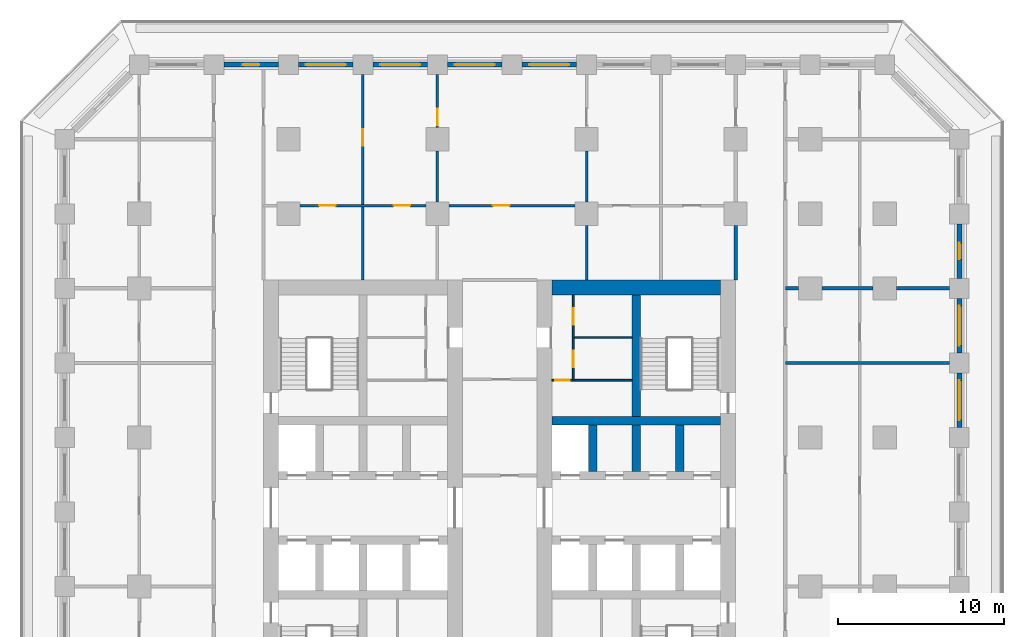
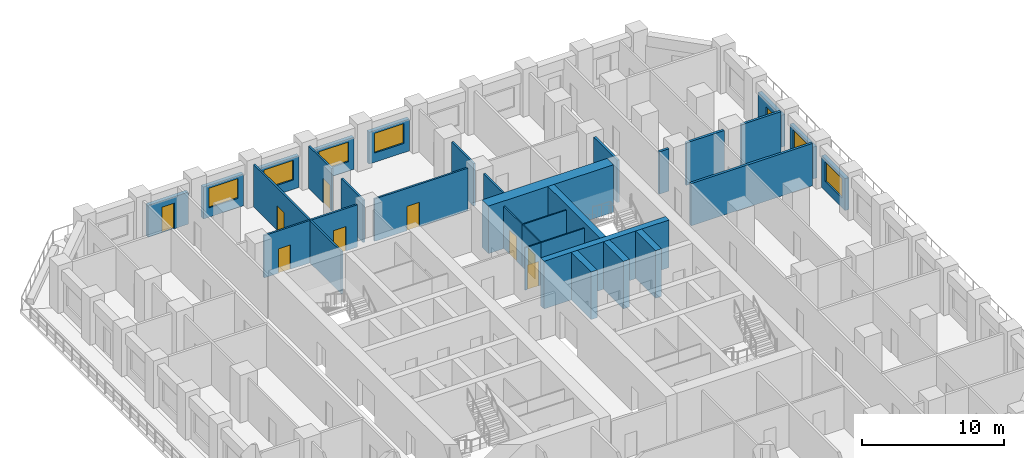
# One storey, part 8 of 18: 31 walls, 10 doors, 6 windows, 16 openings.
"""IFC4 building model written with IfcOpenShell, lengths in metres."""

from ifc_helpers import new_model, si_unit, direction, frame, frame_2d, origin, place, context, subcontext, project, spatial, rectangle, extrude, material, layer, layer_set, type_object, element, fill, save


model = new_model("IFC4")

# Units and contexts
model_context = context("Model", 3, precision=1e-05, world=origin(), true_north=direction((0.0, 1.0)))
body_context = subcontext(model_context, "Body", "Model", "MODEL_VIEW")
ifc_project = project(units=[si_unit("LENGTHUNIT", "METRE"), si_unit("AREAUNIT", "SQUARE_METRE"), si_unit("VOLUMEUNIT", "CUBIC_METRE"), si_unit("PLANEANGLEUNIT", "RADIAN"), si_unit("MASSUNIT", "GRAM", prefix="KILO")], contexts=[model_context])

# Site, building, storey
site_placement = place(None, origin())
site = spatial("IfcSite", under=ifc_project, at=site_placement, CompositionType="ELEMENT")
building_placement = place(site_placement, origin())
building = spatial("IfcBuilding", under=site, at=building_placement, Name="Corbel Stack Research Tower", CompositionType="ELEMENT")
storey_placement = place(building_placement, frame((0.0, 0.0, 102.5)))
storey = spatial("IfcBuildingStorey", under=building, at=storey_placement, Name="L23", CompositionType="ELEMENT", Elevation=102.5)

# Walls
ifc_material_1 = material(Name="Concrete C70/85", Category="concrete")
ifc_layer_1 = layer(ifc_material_1, 0.5)
ifc_layer_set_1 = layer_set([ifc_layer_1], Name="Concrete C70/85")
wall_type_1 = type_object("IfcWallType", Name="CW-500-70", PredefinedType="SHEAR", material=ifc_layer_set_1)
wall_1_placement = place(storey_placement, frame((6.89990234375, 10.0, 0.0), z_axis=(0.0, 0.0, 1.0), x_axis=(1.0, 0.0, 0.0)))
element("IfcWall", 1, at=wall_1_placement, inside=storey, type_object=wall_type_1, Name="East core wall, north row back L23", PredefinedType="SHEAR", context=body_context, shape_type="SweptSolid", body=[
    extrude(rectangle(XDim=10.2001953125, YDim=0.5, at=frame_2d((5.10009765625, 0.0))), origin(), (0.0, 0.0, 1.0), 4.10009765625),
])
for number, where, z_axis, x_axis, name in (
    (2, (9.375, 6.949951171875, 0.0), (0.0, 0.0, 1.0), (0.0, 1.0, 0.0), "East core wall, north shaft 1 L23"),
    (3, (12.0, 6.949951171875, 0.0), (0.0, 0.0, 1.0), (0.0, 1.0, 0.0), "East core wall, north shaft 2 L23"),
    (4, (14.625, 6.949951171875, 0.0), (0.0, 0.0, 1.0), (0.0, 1.0, 0.0), "East core wall, north shaft 3 L23"),
):
    element("IfcWall", number, at=place(storey_placement, frame(where, z_axis=z_axis, x_axis=x_axis)), inside=storey, type_object=wall_type_1, Name=name, PredefinedType="SHEAR", context=body_context, shape_type="SweptSolid", body=[
        extrude(rectangle(XDim=2.800048828125, YDim=0.5, at=frame_2d((1.39990234375, 0.0))), origin(), (0.0, 0.0, 1.0), 4.10009765625),
    ])
wall_2_placement = place(storey_placement, frame((12.0, 10.25, 0.0), z_axis=(0.0, 0.0, 1.0), x_axis=(0.0, 1.0, 0.0)))
element("IfcWall", 5, at=wall_2_placement, inside=storey, type_object=wall_type_1, Name="East core wall, north stair and riser L23", PredefinedType="SHEAR", context=body_context, shape_type="SweptSolid", body=[
    extrude(rectangle(XDim=7.35009765625, YDim=0.5, at=frame_2d((3.675048828125, 0.0))), origin(), (0.0, 0.0, 1.0), 4.10009765625),
])
ifc_material_2 = material(Name="Concrete C70/85", Category="concrete")
ifc_layer_2 = layer(ifc_material_2, 0.89990234375)
ifc_layer_set_2 = layer_set([ifc_layer_2], Name="Concrete C70/85")
wall_type_2 = type_object("IfcWallType", Name="CW-900-70", PredefinedType="SHEAR", material=ifc_layer_set_2)
wall_3_placement = place(storey_placement, frame((6.89990234375, 18.050048828125, 0.0), z_axis=(0.0, 0.0, 1.0), x_axis=(1.0, 0.0, 0.0)))
element("IfcWall", 6, at=wall_3_placement, inside=storey, type_object=wall_type_2, Name="East core wall, north end L23", PredefinedType="SHEAR", context=body_context, shape_type="SweptSolid", body=[
    extrude(rectangle(XDim=10.2001953125, YDim=0.89990234375, at=frame_2d((5.10009765625, 0.0))), origin(), (0.0, 0.0, 1.0), 4.10009765625),
])

# Wall, opening, door
ifc_material_3 = material(Name="Gypsum board")
ifc_layer_3 = layer(ifc_material_3, 0.10009765625)
ifc_layer_set_3 = layer_set([ifc_layer_3], Name="Gypsum board")
wall_type_3 = type_object("IfcWallType", Name="Core partition 100", PredefinedType="PARTITIONING", material=ifc_layer_set_3)
wall_4_placement = place(storey_placement, frame((6.89990234375, 12.455078125, 0.0), z_axis=(0.0, 0.0, 1.0), x_axis=(1.0, 0.0, 0.0)))
wall_4 = element("IfcWall", 7, at=wall_4_placement, inside=storey, type_object=wall_type_3, Name="Core partition E", PredefinedType="PARTITIONING", context=body_context, shape_type="SweptSolid", body=[
    extrude(rectangle(XDim=1.300048828125, YDim=0.10009765625, at=frame_2d((0.64990234375, 0.0))), origin(), (0.0, 0.0, 1.0), 3.64990234375),
])
opening_1_placement = place(wall_4_placement, frame((0.199951171875, 0.0, 0.0)))
opening_1 = element("IfcOpeningElement", 8, at=opening_1_placement, cuts=wall_4, Name="Opening CR-E24-R1-900", PredefinedType="OPENING", context=body_context, shape_type="SweptSolid", body=[
    extrude(rectangle(XDim=0.89990234375, YDim=2.10009765625, at=frame_2d((0.449951171875, 1.050048828125))), frame((0.0, 0.06005859375, 0.0), z_axis=(0.0, -1.0, 0.0), x_axis=(1.0, 0.0, 0.0)), (0.0, 0.0, 1.0), 0.1201171875),
])
ifc_material_4 = material(Name="Painted steel door", Category="steel")
door_type_1 = type_object("IfcDoorType", Name="Riser door 900 x 2100 FD60 right hand", OperationType="SINGLE_SWING_RIGHT", PredefinedType="DOOR", material=ifc_material_4)
door_1_placement = place(opening_1_placement, origin())
door_1 = element("IfcDoor", 9, at=door_1_placement, inside=storey, type_object=door_type_1, Name="Electrical riser door E core", OperationType="SINGLE_SWING_RIGHT", OverallHeight=2.10009765625, OverallWidth=0.89990234375, PredefinedType="DOOR", context=body_context, shape_type="SweptSolid", body=[
    extrude(rectangle(XDim=0.89990234375, YDim=2.10009765625, at=frame_2d((0.449951171875, 1.050048828125))), frame((0.0, 0.02490234375, 0.0), z_axis=(0.0, -1.0, 0.0), x_axis=(1.0, 0.0, 0.0)), (0.0, 0.0, 1.0), 0.050048828125),
])
fill(opening_1, door_1)

# Wall
wall_5_placement = place(storey_placement, frame((8.199951171875, 12.455078125, 0.0), z_axis=(0.0, 0.0, 1.0), x_axis=(1.0, 0.0, 0.0)))
element("IfcWall", 10, at=wall_5_placement, inside=storey, type_object=wall_type_3, Name="Core partition E", PredefinedType="PARTITIONING", context=body_context, shape_type="SweptSolid", body=[
    extrude(rectangle(XDim=3.550048828125, YDim=0.10009765625, at=frame_2d((1.77490234375, 0.0))), origin(), (0.0, 0.0, 1.0), 3.64990234375),
])

# Wall, opening, door
wall_6_placement = place(storey_placement, frame((8.199951171875, 12.455078125, 0.0), z_axis=(0.0, 0.0, 1.0), x_axis=(0.0, 1.0, 0.0)))
wall_6 = element("IfcWall", 11, at=wall_6_placement, inside=storey, type_object=wall_type_3, Name="Core partition E", PredefinedType="PARTITIONING", context=body_context, shape_type="SweptSolid", body=[
    extrude(rectangle(XDim=2.572509765625, YDim=0.10009765625, at=frame_2d((1.2861328125, 0.0))), origin(), (0.0, 0.0, 1.0), 3.64990234375),
])
opening_2_placement = place(wall_6_placement, frame((0.786376953125, 0.0, 0.0)))
opening_2 = element("IfcOpeningElement", 12, at=opening_2_placement, cuts=wall_6, Name="Opening CR-E24-R3-1000", PredefinedType="OPENING", context=body_context, shape_type="SweptSolid", body=[
    extrude(rectangle(XDim=1.0, YDim=2.10009765625, at=frame_2d((0.5, 1.050048828125))), frame((0.0, 0.06005859375, 0.0), z_axis=(0.0, -1.0, 0.0), x_axis=(1.0, 0.0, 0.0)), (0.0, 0.0, 1.0), 0.1201171875),
])
ifc_material_5 = material(Name="Painted steel door", Category="steel")
door_type_2 = type_object("IfcDoorType", Name="Service door 1000 x 2100 FD30 right hand", OperationType="SINGLE_SWING_RIGHT", PredefinedType="DOOR", material=ifc_material_5)
door_2_placement = place(opening_2_placement, origin())
door_2 = element("IfcDoor", 13, at=door_2_placement, inside=storey, type_object=door_type_2, Name="Pantry door E core", OperationType="SINGLE_SWING_RIGHT", OverallHeight=2.10009765625, OverallWidth=1.0, PredefinedType="DOOR", context=body_context, shape_type="SweptSolid", body=[
    extrude(rectangle(XDim=1.0, YDim=2.10009765625, at=frame_2d((0.5, 1.050048828125))), frame((0.0, 0.02490234375, 0.0), z_axis=(0.0, -1.0, 0.0), x_axis=(1.0, 0.0, 0.0)), (0.0, 0.0, 1.0), 0.050048828125),
])
fill(opening_2, door_2)

wall_7_placement = place(storey_placement, frame((8.199951171875, 15.027587890625, 0.0), z_axis=(0.0, 0.0, 1.0), x_axis=(0.0, 1.0, 0.0)))
wall_7 = element("IfcWall", 14, at=wall_7_placement, inside=storey, type_object=wall_type_3, Name="Core partition E", PredefinedType="PARTITIONING", context=body_context, shape_type="SweptSolid", body=[
    extrude(rectangle(XDim=2.572509765625, YDim=0.10009765625, at=frame_2d((1.2861328125, 0.0))), origin(), (0.0, 0.0, 1.0), 3.64990234375),
])
opening_3_placement = place(wall_7_placement, frame((0.7861328125, 0.0, 0.0)))
opening_3 = element("IfcOpeningElement", 15, at=opening_3_placement, cuts=wall_7, Name="Opening CR-E24-R4-1000", PredefinedType="OPENING", context=body_context, shape_type="SweptSolid", body=[
    extrude(rectangle(XDim=1.0, YDim=2.10009765625, at=frame_2d((0.5, 1.050048828125))), frame((0.0, 0.06005859375, 0.0), z_axis=(0.0, -1.0, 0.0), x_axis=(1.0, 0.0, 0.0)), (0.0, 0.0, 1.0), 0.1201171875),
])
ifc_material_6 = material(Name="Painted steel door", Category="steel")
door_type_3 = type_object("IfcDoorType", Name="Service door 1000 x 2100 FD30 left hand", OperationType="SINGLE_SWING_LEFT", PredefinedType="DOOR", material=ifc_material_6)
door_3_placement = place(opening_3_placement, origin())
door_3 = element("IfcDoor", 16, at=door_3_placement, inside=storey, type_object=door_type_3, Name="Copy and supply store door E core", OperationType="SINGLE_SWING_LEFT", OverallHeight=2.10009765625, OverallWidth=1.0, PredefinedType="DOOR", context=body_context, shape_type="SweptSolid", body=[
    extrude(rectangle(XDim=1.0, YDim=2.10009765625, at=frame_2d((0.5, 1.050048828125))), frame((0.0, 0.02490234375, 0.0), z_axis=(0.0, -1.0, 0.0), x_axis=(1.0, 0.0, 0.0)), (0.0, 0.0, 1.0), 0.050048828125),
])
fill(opening_3, door_3)

# Wall
wall_8_placement = place(storey_placement, frame((8.199951171875, 15.027587890625, 0.0), z_axis=(0.0, 0.0, 1.0), x_axis=(1.0, 0.0, 0.0)))
element("IfcWall", 17, at=wall_8_placement, inside=storey, type_object=wall_type_3, Name="Core partition E", PredefinedType="PARTITIONING", context=body_context, shape_type="SweptSolid", body=[
    extrude(rectangle(XDim=3.550048828125, YDim=0.10009765625, at=frame_2d((1.77490234375, 0.0))), origin(), (0.0, 0.0, 1.0), 3.64990234375),
])

# Wall, opening, door
ifc_material_7 = material(Name="Fire-rated gypsum board partition on steel studs", Category="steel")
ifc_layer_4 = layer(ifc_material_7, 0.14990234375)
ifc_layer_set_4 = layer_set([ifc_layer_4], Name="Fire-rated gypsum board partition on steel studs")
wall_type_4 = type_object("IfcWallType", Name="Fire-rated partition 150 EI 60", PredefinedType="PARTITIONING", material=ifc_layer_set_4)
wall_9_placement = place(storey_placement, frame((-4.5, 30.89990234375, 0.0), z_axis=(0.0, 0.0, 1.0), x_axis=(0.0, -1.0, 0.0)))
wall_9 = element("IfcWall", 18, at=wall_9_placement, inside=storey, type_object=wall_type_4, Name="Partition L23-011", PredefinedType="PARTITIONING", context=body_context, shape_type="SweptSolid", body=[
    extrude(rectangle(XDim=12.39990234375, YDim=0.14990234375, at=frame_2d((6.199951171875, 0.0))), origin(), (0.0, 0.0, 1.0), 3.64990234375),
])
opening_4_placement = place(wall_9_placement, frame((3.300048828125, 0.0, 0.0)))
opening_4 = element("IfcOpeningElement", 19, at=opening_4_placement, cuts=wall_9, Name="Opening B3V2-026", PredefinedType="OPENING", context=body_context, shape_type="SweptSolid", body=[
    extrude(rectangle(XDim=1.0, YDim=2.10009765625, at=frame_2d((0.5, 1.050048828125))), frame((0.0, 0.0849609375, 0.0), z_axis=(0.0, -1.0, 0.0), x_axis=(1.0, 0.0, 0.0)), (0.0, 0.0, 1.0), 0.169921875),
])
ifc_material_8 = material(Name="Painted steel fire door", Category="steel")
door_type_4 = type_object("IfcDoorType", Name="Fire door FD30S 1000 x 2100", OperationType="NOTDEFINED", PredefinedType="DOOR", material=ifc_material_8)
door_4_placement = place(opening_4_placement, origin())
door_4 = element("IfcDoor", 20, at=door_4_placement, inside=storey, type_object=door_type_4, Name="Door B3V2-026", OperationType="SINGLE_SWING_LEFT", OverallHeight=2.10009765625, OverallWidth=1.0, PredefinedType="DOOR", context=body_context, shape_type="SweptSolid", body=[
    extrude(rectangle(XDim=1.0, YDim=2.10009765625, at=frame_2d((0.5, 1.050048828125))), frame((0.0, 0.02490234375, 0.0), z_axis=(0.0, -1.0, 0.0), x_axis=(1.0, 0.0, 0.0)), (0.0, 0.0, 1.0), 0.050048828125),
])
fill(opening_4, door_4)

wall_10_placement = place(storey_placement, frame((0.0, 30.89990234375, 0.0), z_axis=(0.0, 0.0, 1.0), x_axis=(0.0, -1.0, 0.0)))
wall_10 = element("IfcWall", 21, at=wall_10_placement, inside=storey, type_object=wall_type_4, Name="Partition L23-014", PredefinedType="PARTITIONING", context=body_context, shape_type="SweptSolid", body=[
    extrude(rectangle(XDim=3.199951171875, YDim=0.14990234375, at=frame_2d((1.60009765625, 0.0))), origin(), (0.0, 0.0, 1.0), 3.64990234375),
])
opening_5_placement = place(wall_10_placement, frame((2.050048828125, 0.0, 0.0)))
opening_5 = element("IfcOpeningElement", 22, at=opening_5_placement, cuts=wall_10, Name="Opening B3V2-027", PredefinedType="OPENING", context=body_context, shape_type="SweptSolid", body=[
    extrude(rectangle(XDim=1.0, YDim=2.10009765625, at=frame_2d((0.5, 1.050048828125))), frame((0.0, 0.0849609375, 0.0), z_axis=(0.0, -1.0, 0.0), x_axis=(1.0, 0.0, 0.0)), (0.0, 0.0, 1.0), 0.169921875),
])
door_5_placement = place(opening_5_placement, origin())
door_5 = element("IfcDoor", 23, at=door_5_placement, inside=storey, type_object=door_type_4, Name="Door B3V2-027", OperationType="SINGLE_SWING_RIGHT", OverallHeight=2.10009765625, OverallWidth=1.0, PredefinedType="DOOR", context=body_context, shape_type="SweptSolid", body=[
    extrude(rectangle(XDim=1.0, YDim=2.10009765625, at=frame_2d((0.5, 1.050048828125))), frame((0.0, 0.02490234375, 0.0), z_axis=(0.0, -1.0, 0.0), x_axis=(1.0, 0.0, 0.0)), (0.0, 0.0, 1.0), 0.050048828125),
])
fill(opening_5, door_5)

# Walls
ifc_material_9 = material(Name="Fire-rated gypsum board partition on steel studs", Category="steel")
ifc_layer_5 = layer(ifc_material_9, 0.199951171875)
ifc_layer_set_5 = layer_set([ifc_layer_5], Name="Fire-rated gypsum board partition on steel studs")
wall_type_5 = type_object("IfcWallType", Name="Fire-rated partition 200 EI 60", PredefinedType="PARTITIONING", material=ifc_layer_set_5)
wall_11_placement = place(storey_placement, frame((18.0, 18.5, 0.0), z_axis=(0.0, 0.0, 1.0), x_axis=(0.0, 1.0, 0.0)))
element("IfcWall", 24, at=wall_11_placement, inside=storey, type_object=wall_type_5, Name="Partition L23-026", PredefinedType="PARTITIONING", context=body_context, shape_type="SweptSolid", body=[
    extrude(rectangle(XDim=3.300048828125, YDim=0.199951171875, at=frame_2d((1.64990234375, 0.0))), origin(), (0.0, 0.0, 1.0), 3.64990234375),
])
wall_12_placement = place(storey_placement, frame((21.0, 13.5, 0.0), z_axis=(0.0, 0.0, 1.0), x_axis=(1.0, 0.0, 0.0)))
element("IfcWall", 25, at=wall_12_placement, inside=storey, type_object=wall_type_5, Name="Partition L23-048", PredefinedType="PARTITIONING", context=body_context, shape_type="SweptSolid", body=[
    extrude(rectangle(XDim=9.89990234375, YDim=0.199951171875, at=frame_2d((4.949951171875, 0.0))), origin(), (0.0, 0.0, 1.0), 3.64990234375),
])
wall_13_placement = place(storey_placement, frame((21.0, 18.0, 0.0), z_axis=(0.0, 0.0, 1.0), x_axis=(1.0, 0.0, 0.0)))
element("IfcWall", 26, at=wall_13_placement, inside=storey, type_object=wall_type_5, Name="Partition L23-051", PredefinedType="PARTITIONING", context=body_context, shape_type="SweptSolid", body=[
    extrude(rectangle(XDim=0.800048828125, YDim=0.199951171875, at=frame_2d((0.39990234375, 0.0))), origin(), (0.0, 0.0, 1.0), 3.64990234375),
])
wall_14_placement = place(storey_placement, frame((23.199951171875, 18.0, 0.0), z_axis=(0.0, 0.0, 1.0), x_axis=(1.0, 0.0, 0.0)))
element("IfcWall", 27, at=wall_14_placement, inside=storey, type_object=wall_type_5, Name="Partition L23-052", PredefinedType="PARTITIONING", context=body_context, shape_type="SweptSolid", body=[
    extrude(rectangle(XDim=3.10009765625, YDim=0.199951171875, at=frame_2d((1.550048828125, 0.0))), origin(), (0.0, 0.0, 1.0), 3.64990234375),
])
wall_15_placement = place(storey_placement, frame((27.699951171875, 18.0, 0.0), z_axis=(0.0, 0.0, 1.0), x_axis=(1.0, 0.0, 0.0)))
element("IfcWall", 28, at=wall_15_placement, inside=storey, type_object=wall_type_5, Name="Partition L23-053", PredefinedType="PARTITIONING", context=body_context, shape_type="SweptSolid", body=[
    extrude(rectangle(XDim=3.199951171875, YDim=0.199951171875, at=frame_2d((1.60009765625, 0.0))), origin(), (0.0, 0.0, 1.0), 3.64990234375),
])
ifc_material_10 = material(Name="Gypsum board partition on steel studs", Category="steel")
ifc_layer_6 = layer(ifc_material_10, 0.14990234375)
ifc_layer_set_6 = layer_set([ifc_layer_6], Name="Gypsum board partition on steel studs")
wall_type_6 = type_object("IfcWallType", Name="Partition 150", PredefinedType="PARTITIONING", material=ifc_layer_set_6)
wall_16_placement = place(storey_placement, frame((0.0, 23.199951171875, 0.0), z_axis=(0.0, 0.0, 1.0), x_axis=(0.0, 1.0, 0.0)))
element("IfcWall", 29, at=wall_16_placement, inside=storey, type_object=wall_type_6, Name="Partition L23-013", PredefinedType="PARTITIONING", context=body_context, shape_type="SweptSolid", body=[
    extrude(rectangle(XDim=3.10009765625, YDim=0.14990234375, at=frame_2d((1.550048828125, 0.0))), origin(), (0.0, 0.0, 1.0), 3.64990234375),
])
wall_17_placement = place(storey_placement, frame((9.0, 18.5, 0.0), z_axis=(0.0, 0.0, 1.0), x_axis=(0.0, 1.0, 0.0)))
element("IfcWall", 30, at=wall_17_placement, inside=storey, type_object=wall_type_6, Name="Partition L23-019", PredefinedType="PARTITIONING", context=body_context, shape_type="SweptSolid", body=[
    extrude(rectangle(XDim=3.300048828125, YDim=0.14990234375, at=frame_2d((1.64990234375, 0.0))), origin(), (0.0, 0.0, 1.0), 3.64990234375),
])
wall_18_placement = place(storey_placement, frame((9.0, 23.199951171875, 0.0), z_axis=(0.0, 0.0, 1.0), x_axis=(0.0, 1.0, 0.0)))
element("IfcWall", 31, at=wall_18_placement, inside=storey, type_object=wall_type_6, Name="Partition L23-020", PredefinedType="PARTITIONING", context=body_context, shape_type="SweptSolid", body=[
    extrude(rectangle(XDim=3.10009765625, YDim=0.14990234375, at=frame_2d((1.550048828125, 0.0))), origin(), (0.0, 0.0, 1.0), 3.64990234375),
])

# Wall, openings, doors
wall_19_placement = place(storey_placement, frame((-0.699951171875, 23.0, 0.0), z_axis=(0.0, 0.0, 1.0), x_axis=(-1.0, 0.0, 0.0)))
wall_19 = element("IfcWall", 32, at=wall_19_placement, inside=storey, type_object=wall_type_6, Name="Partition L23-056", PredefinedType="PARTITIONING", context=body_context, shape_type="SweptSolid", body=[
    extrude(rectangle(XDim=7.60009765625, YDim=0.14990234375, at=frame_2d((3.800048828125, 0.0))), origin(), (0.0, 0.0, 1.0), 3.64990234375),
])
opening_6_placement = place(wall_19_placement, frame((5.449951171875, 0.0, 0.0)))
opening_6 = element("IfcOpeningElement", 33, at=opening_6_placement, cuts=wall_19, Name="Opening B3V2-042", PredefinedType="OPENING", context=body_context, shape_type="SweptSolid", body=[
    extrude(rectangle(XDim=1.0, YDim=2.10009765625, at=frame_2d((0.5, 1.050048828125))), frame((0.0, 0.0849609375, 0.0), z_axis=(0.0, -1.0, 0.0), x_axis=(1.0, 0.0, 0.0)), (0.0, 0.0, 1.0), 0.169921875),
])
opening_7_placement = place(wall_19_placement, frame((0.949951171875, 0.0, 0.0)))
opening_7 = element("IfcOpeningElement", 34, at=opening_7_placement, cuts=wall_19, Name="Opening B3V2-043", PredefinedType="OPENING", context=body_context, shape_type="SweptSolid", body=[
    extrude(rectangle(XDim=1.0, YDim=2.10009765625, at=frame_2d((0.5, 1.050048828125))), frame((0.0, 0.0849609375, 0.0), z_axis=(0.0, -1.0, 0.0), x_axis=(1.0, 0.0, 0.0)), (0.0, 0.0, 1.0), 0.169921875),
])
ifc_material_11 = material(Name="Painted timber door", Category="wood")
door_type_5 = type_object("IfcDoorType", Name="Single door 1000 x 2100", OperationType="NOTDEFINED", PredefinedType="DOOR", material=ifc_material_11)
door_6_placement = place(opening_6_placement, origin())
door_6 = element("IfcDoor", 35, at=door_6_placement, inside=storey, type_object=door_type_5, Name="Door B3V2-042", OperationType="SINGLE_SWING_RIGHT", OverallHeight=2.10009765625, OverallWidth=1.0, PredefinedType="DOOR", context=body_context, shape_type="SweptSolid", body=[
    extrude(rectangle(XDim=1.0, YDim=2.10009765625, at=frame_2d((0.5, 1.050048828125))), frame((0.0, 0.02490234375, 0.0), z_axis=(0.0, -1.0, 0.0), x_axis=(1.0, 0.0, 0.0)), (0.0, 0.0, 1.0), 0.050048828125),
])
fill(opening_6, door_6)
door_7_placement = place(opening_7_placement, origin())
door_7 = element("IfcDoor", 36, at=door_7_placement, inside=storey, type_object=door_type_5, Name="Door B3V2-043", OperationType="SINGLE_SWING_LEFT", OverallHeight=2.10009765625, OverallWidth=1.0, PredefinedType="DOOR", context=body_context, shape_type="SweptSolid", body=[
    extrude(rectangle(XDim=1.0, YDim=2.10009765625, at=frame_2d((0.5, 1.050048828125))), frame((0.0, 0.02490234375, 0.0), z_axis=(0.0, -1.0, 0.0), x_axis=(1.0, 0.0, 0.0)), (0.0, 0.0, 1.0), 0.050048828125),
])
fill(opening_7, door_7)

# Wall, opening, door
wall_20_placement = place(storey_placement, frame((8.300048828125, 23.0, 0.0), z_axis=(0.0, 0.0, 1.0), x_axis=(-1.0, 0.0, 0.0)))
wall_20 = element("IfcWall", 37, at=wall_20_placement, inside=storey, type_object=wall_type_6, Name="Partition L23-057", PredefinedType="PARTITIONING", context=body_context, shape_type="SweptSolid", body=[
    extrude(rectangle(XDim=7.60009765625, YDim=0.14990234375, at=frame_2d((3.800048828125, 0.0))), origin(), (0.0, 0.0, 1.0), 3.64990234375),
])
opening_8_placement = place(wall_20_placement, frame((3.949951171875, 0.0, 0.0)))
opening_8 = element("IfcOpeningElement", 38, at=opening_8_placement, cuts=wall_20, Name="Opening B3V2-044", PredefinedType="OPENING", context=body_context, shape_type="SweptSolid", body=[
    extrude(rectangle(XDim=1.0, YDim=2.10009765625, at=frame_2d((0.5, 1.050048828125))), frame((0.0, 0.0849609375, 0.0), z_axis=(0.0, -1.0, 0.0), x_axis=(1.0, 0.0, 0.0)), (0.0, 0.0, 1.0), 0.169921875),
])
door_8_placement = place(opening_8_placement, origin())
door_8 = element("IfcDoor", 39, at=door_8_placement, inside=storey, type_object=door_type_5, Name="Door B3V2-044", OperationType="SINGLE_SWING_RIGHT", OverallHeight=2.10009765625, OverallWidth=1.0, PredefinedType="DOOR", context=body_context, shape_type="SweptSolid", body=[
    extrude(rectangle(XDim=1.0, YDim=2.10009765625, at=frame_2d((0.5, 1.050048828125))), frame((0.0, 0.02490234375, 0.0), z_axis=(0.0, -1.0, 0.0), x_axis=(1.0, 0.0, 0.0)), (0.0, 0.0, 1.0), 0.050048828125),
])
fill(opening_8, door_8)

# Wall, opening, window
ifc_material_12 = material(Name="Concrete C45/55", Category="concrete")
ifc_layer_7 = layer(ifc_material_12, 0.300048828125)
ifc_layer_set_7 = layer_set([ifc_layer_7], Name="Concrete C45/55")
wall_type_7 = type_object("IfcWallType", Name="Terracotta-faced concrete wall 300", PredefinedType="SOLIDWALL", material=ifc_layer_set_7)
wall_21_placement = place(storey_placement, frame((31.5, 12.89990234375, 0.0), z_axis=(0.0, 0.0, 1.0), x_axis=(0.0, -1.0, 0.0)))
wall_21 = element("IfcWall", 40, at=wall_21_placement, inside=storey, type_object=wall_type_7, Name="Facade wall L23 E07", PredefinedType="SOLIDWALL", context=body_context, shape_type="SweptSolid", body=[
    extrude(rectangle(XDim=3.2998046875, YDim=0.300048828125, at=frame_2d((1.64990234375, 0.0))), origin(), (0.0, 0.0, 1.0), 2.75),
])
opening_9_placement = place(wall_21_placement, frame((0.449951171875, 0.0, 0.800048828125)))
opening_9 = element("IfcOpeningElement", 41, at=opening_9_placement, cuts=wall_21, Name="Opening W1", PredefinedType="OPENING", context=body_context, shape_type="SweptSolid", body=[
    extrude(rectangle(XDim=2.39990234375, YDim=1.699951171875, at=frame_2d((1.199951171875, 0.85009765625))), frame((0.0, 0.159912109375, 0.0), z_axis=(0.0, -1.0, 0.0), x_axis=(1.0, 0.0, 0.0)), (0.0, 0.0, 1.0), 0.320068359375),
])
ifc_material_13 = material(Name="Aluminium frame, clear double glazing", Category="aluminium")
window_type = type_object("IfcWindowType", Name="Window W1 2400 x 1700", PartitioningType="SINGLE_PANEL", PredefinedType="WINDOW", material=ifc_material_13)
window_1_placement = place(opening_9_placement, origin())
window_1 = element("IfcWindow", 42, at=window_1_placement, inside=storey, type_object=window_type, Name="Window W1 L23 E07", OverallHeight=1.699951171875, OverallWidth=2.39990234375, PartitioningType="SINGLE_PANEL", PredefinedType="WINDOW", context=body_context, shape_type="SweptSolid", body=[
    extrude(rectangle(XDim=2.39990234375, YDim=1.699951171875, at=frame_2d((1.199951171875, 0.85009765625))), frame((0.0, 0.030029296875, 0.0), z_axis=(0.0, -1.0, 0.0), x_axis=(1.0, 0.0, 0.0)), (0.0, 0.0, 1.0), 0.06005859375),
])
fill(opening_9, window_1)

wall_22_placement = place(storey_placement, frame((31.5, 17.39990234375, 0.0), z_axis=(0.0, 0.0, 1.0), x_axis=(0.0, -1.0, 0.0)))
wall_22 = element("IfcWall", 43, at=wall_22_placement, inside=storey, type_object=wall_type_7, Name="Facade wall L23 E08", PredefinedType="SOLIDWALL", context=body_context, shape_type="SweptSolid", body=[
    extrude(rectangle(XDim=3.2998046875, YDim=0.300048828125, at=frame_2d((1.64990234375, 0.0))), origin(), (0.0, 0.0, 1.0), 2.75),
])
opening_10_placement = place(wall_22_placement, frame((0.449951171875, 0.0, 0.800048828125)))
opening_10 = element("IfcOpeningElement", 44, at=opening_10_placement, cuts=wall_22, Name="Opening W1", PredefinedType="OPENING", context=body_context, shape_type="SweptSolid", body=[
    extrude(rectangle(XDim=2.39990234375, YDim=1.699951171875, at=frame_2d((1.199951171875, 0.85009765625))), frame((0.0, 0.159912109375, 0.0), z_axis=(0.0, -1.0, 0.0), x_axis=(1.0, 0.0, 0.0)), (0.0, 0.0, 1.0), 0.320068359375),
])
window_2_placement = place(opening_10_placement, origin())
window_2 = element("IfcWindow", 45, at=window_2_placement, inside=storey, type_object=window_type, Name="Window W1 L23 E08", OverallHeight=1.699951171875, OverallWidth=2.39990234375, PartitioningType="SINGLE_PANEL", PredefinedType="WINDOW", context=body_context, shape_type="SweptSolid", body=[
    extrude(rectangle(XDim=2.39990234375, YDim=1.699951171875, at=frame_2d((1.199951171875, 0.85009765625))), frame((0.0, 0.030029296875, 0.0), z_axis=(0.0, -1.0, 0.0), x_axis=(1.0, 0.0, 0.0)), (0.0, 0.0, 1.0), 0.06005859375),
])
fill(opening_10, window_2)

# Wall, opening, door
wall_23_placement = place(storey_placement, frame((31.5, 21.89990234375, 0.0), z_axis=(0.0, 0.0, 1.0), x_axis=(0.0, -1.0, 0.0)))
wall_23 = element("IfcWall", 46, at=wall_23_placement, inside=storey, type_object=wall_type_7, Name="Facade wall L23 E09", PredefinedType="SOLIDWALL", context=body_context, shape_type="SweptSolid", body=[
    extrude(rectangle(XDim=3.2998046875, YDim=0.300048828125, at=frame_2d((1.64990234375, 0.0))), origin(), (0.0, 0.0, 1.0), 2.75),
])
opening_11_placement = place(wall_23_placement, frame((1.14990234375, 0.0, 0.0)))
opening_11 = element("IfcOpeningElement", 47, at=opening_11_placement, cuts=wall_23, Name="Opening L23-B05", PredefinedType="OPENING", context=body_context, shape_type="SweptSolid", body=[
    extrude(rectangle(XDim=1.0, YDim=2.199951171875, at=frame_2d((0.5, 1.10009765625))), frame((0.0, 0.159912109375, 0.0), z_axis=(0.0, -1.0, 0.0), x_axis=(1.0, 0.0, 0.0)), (0.0, 0.0, 1.0), 0.320068359375),
])
ifc_material_14 = material(Name="Aluminium frame, clear double glazing", Category="aluminium")
door_type_6 = type_object("IfcDoorType", Name="Balcony door BD1 1000 x 2200", OperationType="NOTDEFINED", PredefinedType="DOOR", material=ifc_material_14)
door_9_placement = place(opening_11_placement, origin())
door_9 = element("IfcDoor", 48, at=door_9_placement, inside=storey, type_object=door_type_6, Name="Balcony door L23-B05", OperationType="SINGLE_SWING_RIGHT", OverallHeight=2.199951171875, OverallWidth=1.0, PredefinedType="DOOR", context=body_context, shape_type="SweptSolid", body=[
    extrude(rectangle(XDim=1.0, YDim=2.199951171875, at=frame_2d((0.5, 1.10009765625))), frame((0.0, 0.02490234375, 0.0), z_axis=(0.0, -1.0, 0.0), x_axis=(1.0, 0.0, 0.0)), (0.0, 0.0, 1.0), 0.050048828125),
])
fill(opening_11, door_9)

# Wall, opening, window
wall_24_placement = place(storey_placement, frame((5.10009765625, 31.5, 0.0), z_axis=(0.0, 0.0, 1.0), x_axis=(1.0, 0.0, 0.0)))
wall_24 = element("IfcWall", 49, at=wall_24_placement, inside=storey, type_object=wall_type_7, Name="Facade wall L23 N05", PredefinedType="SOLIDWALL", context=body_context, shape_type="SweptSolid", body=[
    extrude(rectangle(XDim=3.2998046875, YDim=0.300048828125, at=frame_2d((1.64990234375, 0.0))), origin(), (0.0, 0.0, 1.0), 2.75),
])
opening_12_placement = place(wall_24_placement, frame((0.449951171875, 0.0, 0.800048828125)))
opening_12 = element("IfcOpeningElement", 50, at=opening_12_placement, cuts=wall_24, Name="Opening W1", PredefinedType="OPENING", context=body_context, shape_type="SweptSolid", body=[
    extrude(rectangle(XDim=2.39990234375, YDim=1.699951171875, at=frame_2d((1.199951171875, 0.85009765625))), frame((0.0, 0.159912109375, 0.0), z_axis=(0.0, -1.0, 0.0), x_axis=(1.0, 0.0, 0.0)), (0.0, 0.0, 1.0), 0.320068359375),
])
window_3_placement = place(opening_12_placement, origin())
window_3 = element("IfcWindow", 51, at=window_3_placement, inside=storey, type_object=window_type, Name="Window W1 L23 N05", OverallHeight=1.699951171875, OverallWidth=2.39990234375, PartitioningType="SINGLE_PANEL", PredefinedType="WINDOW", context=body_context, shape_type="SweptSolid", body=[
    extrude(rectangle(XDim=2.39990234375, YDim=1.699951171875, at=frame_2d((1.199951171875, 0.85009765625))), frame((0.0, 0.030029296875, 0.0), z_axis=(0.0, -1.0, 0.0), x_axis=(1.0, 0.0, 0.0)), (0.0, 0.0, 1.0), 0.06005859375),
])
fill(opening_12, window_3)

wall_25_placement = place(storey_placement, frame((0.60009765625, 31.5, 0.0), z_axis=(0.0, 0.0, 1.0), x_axis=(1.0, 0.0, 0.0)))
wall_25 = element("IfcWall", 52, at=wall_25_placement, inside=storey, type_object=wall_type_7, Name="Facade wall L23 N06", PredefinedType="SOLIDWALL", context=body_context, shape_type="SweptSolid", body=[
    extrude(rectangle(XDim=3.2998046875, YDim=0.300048828125, at=frame_2d((1.64990234375, 0.0))), origin(), (0.0, 0.0, 1.0), 2.75),
])
opening_13_placement = place(wall_25_placement, frame((0.449951171875, 0.0, 0.800048828125)))
opening_13 = element("IfcOpeningElement", 53, at=opening_13_placement, cuts=wall_25, Name="Opening W1", PredefinedType="OPENING", context=body_context, shape_type="SweptSolid", body=[
    extrude(rectangle(XDim=2.39990234375, YDim=1.699951171875, at=frame_2d((1.199951171875, 0.85009765625))), frame((0.0, 0.159912109375, 0.0), z_axis=(0.0, -1.0, 0.0), x_axis=(1.0, 0.0, 0.0)), (0.0, 0.0, 1.0), 0.320068359375),
])
window_4_placement = place(opening_13_placement, origin())
window_4 = element("IfcWindow", 54, at=window_4_placement, inside=storey, type_object=window_type, Name="Window W1 L23 N06", OverallHeight=1.699951171875, OverallWidth=2.39990234375, PartitioningType="SINGLE_PANEL", PredefinedType="WINDOW", context=body_context, shape_type="SweptSolid", body=[
    extrude(rectangle(XDim=2.39990234375, YDim=1.699951171875, at=frame_2d((1.199951171875, 0.85009765625))), frame((0.0, 0.030029296875, 0.0), z_axis=(0.0, -1.0, 0.0), x_axis=(1.0, 0.0, 0.0)), (0.0, 0.0, 1.0), 0.06005859375),
])
fill(opening_13, window_4)

wall_26_placement = place(storey_placement, frame((-3.89990234375, 31.5, 0.0), z_axis=(0.0, 0.0, 1.0), x_axis=(1.0, 0.0, 0.0)))
wall_26 = element("IfcWall", 55, at=wall_26_placement, inside=storey, type_object=wall_type_7, Name="Facade wall L23 N07", PredefinedType="SOLIDWALL", context=body_context, shape_type="SweptSolid", body=[
    extrude(rectangle(XDim=3.2998046875, YDim=0.300048828125, at=frame_2d((1.64990234375, 0.0))), origin(), (0.0, 0.0, 1.0), 2.75),
])
opening_14_placement = place(wall_26_placement, frame((0.449951171875, 0.0, 0.800048828125)))
opening_14 = element("IfcOpeningElement", 56, at=opening_14_placement, cuts=wall_26, Name="Opening W1", PredefinedType="OPENING", context=body_context, shape_type="SweptSolid", body=[
    extrude(rectangle(XDim=2.39990234375, YDim=1.699951171875, at=frame_2d((1.199951171875, 0.85009765625))), frame((0.0, 0.159912109375, 0.0), z_axis=(0.0, -1.0, 0.0), x_axis=(1.0, 0.0, 0.0)), (0.0, 0.0, 1.0), 0.320068359375),
])
window_5_placement = place(opening_14_placement, origin())
window_5 = element("IfcWindow", 57, at=window_5_placement, inside=storey, type_object=window_type, Name="Window W1 L23 N07", OverallHeight=1.699951171875, OverallWidth=2.39990234375, PartitioningType="SINGLE_PANEL", PredefinedType="WINDOW", context=body_context, shape_type="SweptSolid", body=[
    extrude(rectangle(XDim=2.39990234375, YDim=1.699951171875, at=frame_2d((1.199951171875, 0.85009765625))), frame((0.0, 0.030029296875, 0.0), z_axis=(0.0, -1.0, 0.0), x_axis=(1.0, 0.0, 0.0)), (0.0, 0.0, 1.0), 0.06005859375),
])
fill(opening_14, window_5)

wall_27_placement = place(storey_placement, frame((-8.39990234375, 31.5, 0.0), z_axis=(0.0, 0.0, 1.0), x_axis=(1.0, 0.0, 0.0)))
wall_27 = element("IfcWall", 58, at=wall_27_placement, inside=storey, type_object=wall_type_7, Name="Facade wall L23 N08", PredefinedType="SOLIDWALL", context=body_context, shape_type="SweptSolid", body=[
    extrude(rectangle(XDim=3.2998046875, YDim=0.300048828125, at=frame_2d((1.64990234375, 0.0))), origin(), (0.0, 0.0, 1.0), 2.75),
])
opening_15_placement = place(wall_27_placement, frame((0.449951171875, 0.0, 0.800048828125)))
opening_15 = element("IfcOpeningElement", 59, at=opening_15_placement, cuts=wall_27, Name="Opening W1", PredefinedType="OPENING", context=body_context, shape_type="SweptSolid", body=[
    extrude(rectangle(XDim=2.39990234375, YDim=1.699951171875, at=frame_2d((1.199951171875, 0.85009765625))), frame((0.0, 0.159912109375, 0.0), z_axis=(0.0, -1.0, 0.0), x_axis=(1.0, 0.0, 0.0)), (0.0, 0.0, 1.0), 0.320068359375),
])
window_6_placement = place(opening_15_placement, origin())
window_6 = element("IfcWindow", 60, at=window_6_placement, inside=storey, type_object=window_type, Name="Window W1 L23 N08", OverallHeight=1.699951171875, OverallWidth=2.39990234375, PartitioningType="SINGLE_PANEL", PredefinedType="WINDOW", context=body_context, shape_type="SweptSolid", body=[
    extrude(rectangle(XDim=2.39990234375, YDim=1.699951171875, at=frame_2d((1.199951171875, 0.85009765625))), frame((0.0, 0.030029296875, 0.0), z_axis=(0.0, -1.0, 0.0), x_axis=(1.0, 0.0, 0.0)), (0.0, 0.0, 1.0), 0.06005859375),
])
fill(opening_15, window_6)

# Wall, opening, door
wall_28_placement = place(storey_placement, frame((-12.89990234375, 31.5, 0.0), z_axis=(0.0, 0.0, 1.0), x_axis=(1.0, 0.0, 0.0)))
wall_28 = element("IfcWall", 61, at=wall_28_placement, inside=storey, type_object=wall_type_7, Name="Facade wall L23 N09", PredefinedType="SOLIDWALL", context=body_context, shape_type="SweptSolid", body=[
    extrude(rectangle(XDim=3.2998046875, YDim=0.300048828125, at=frame_2d((1.64990234375, 0.0))), origin(), (0.0, 0.0, 1.0), 2.75),
])
opening_16_placement = place(wall_28_placement, frame((1.14990234375, 0.0, 0.0)))
opening_16 = element("IfcOpeningElement", 62, at=opening_16_placement, cuts=wall_28, Name="Opening L23-B08", PredefinedType="OPENING", context=body_context, shape_type="SweptSolid", body=[
    extrude(rectangle(XDim=1.0, YDim=2.199951171875, at=frame_2d((0.5, 1.10009765625))), frame((0.0, 0.159912109375, 0.0), z_axis=(0.0, -1.0, 0.0), x_axis=(1.0, 0.0, 0.0)), (0.0, 0.0, 1.0), 0.320068359375),
])
door_10_placement = place(opening_16_placement, origin())
door_10 = element("IfcDoor", 63, at=door_10_placement, inside=storey, type_object=door_type_6, Name="Balcony door L23-B08", OperationType="SINGLE_SWING_RIGHT", OverallHeight=2.199951171875, OverallWidth=1.0, PredefinedType="DOOR", context=body_context, shape_type="SweptSolid", body=[
    extrude(rectangle(XDim=1.0, YDim=2.199951171875, at=frame_2d((0.5, 1.10009765625))), frame((0.0, 0.02490234375, 0.0), z_axis=(0.0, -1.0, 0.0), x_axis=(1.0, 0.0, 0.0)), (0.0, 0.0, 1.0), 0.050048828125),
])
fill(opening_16, door_10)

save(model, "model.ifc")
